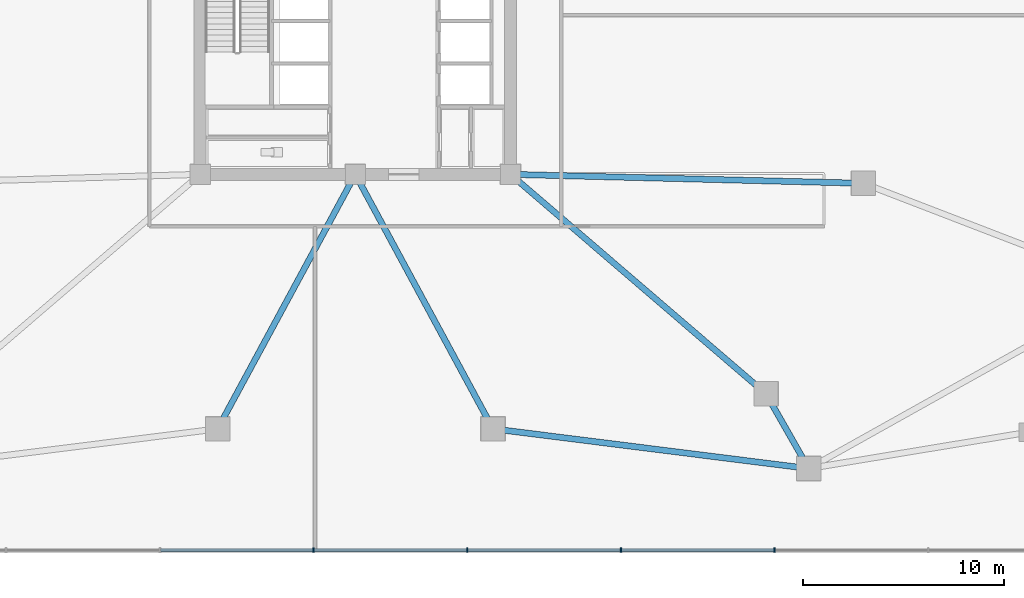
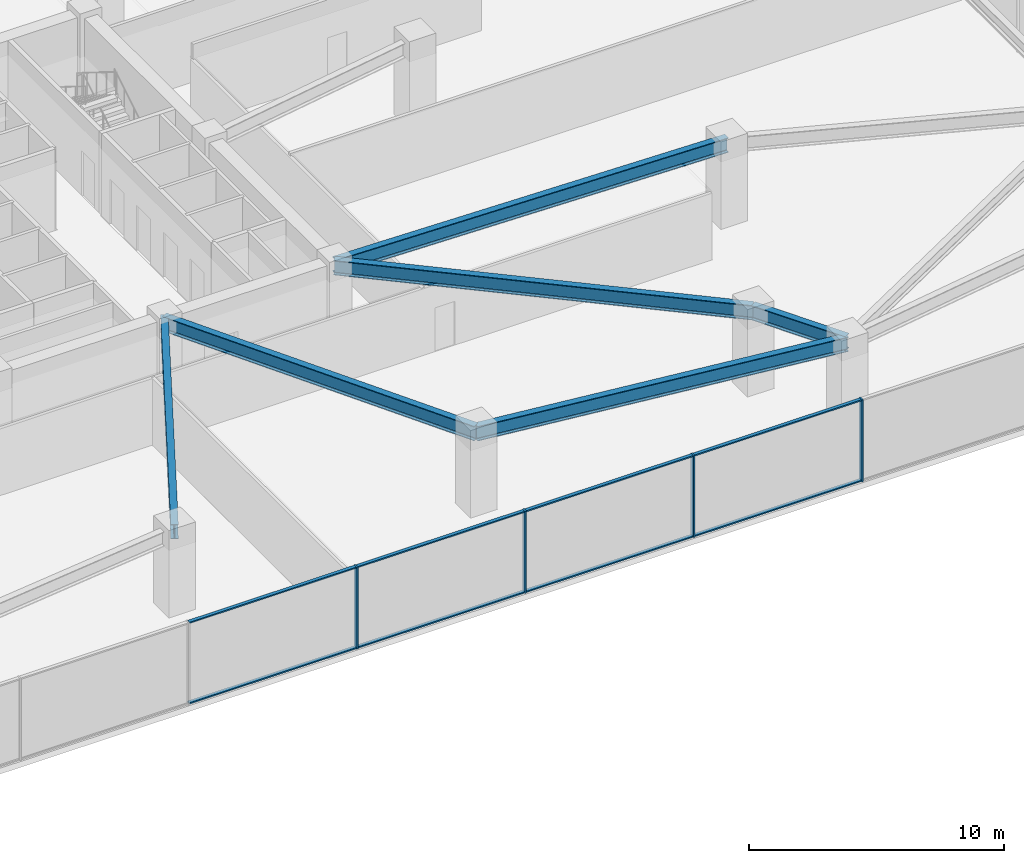
# One storey, part 4 of 21: 12 members, 6 beams, 1 element without a shape of its own.
"""IFC4 building model written with IfcOpenShell, lengths in metres."""

from ifc_helpers import new_model, si_unit, direction, frame, origin, origin_2d, place, context, subcontext, project, spatial, rectangle, i_section, extrude, material, material_profile, profile_set, type_object, element, aggregate, save


model = new_model("IFC4")

# Units and contexts
model_context = context("Model", 3, precision=1e-05, world=origin(), true_north=direction((0.0, 1.0)))
body_context = subcontext(model_context, "Body", "Model", "MODEL_VIEW")
ifc_project = project(units=[si_unit("LENGTHUNIT", "METRE"), si_unit("AREAUNIT", "SQUARE_METRE"), si_unit("VOLUMEUNIT", "CUBIC_METRE"), si_unit("PLANEANGLEUNIT", "RADIAN"), si_unit("MASSUNIT", "GRAM", prefix="KILO")], contexts=[model_context])

# Site, building, storey
site_placement = place(None, origin())
site = spatial("IfcSite", under=ifc_project, at=site_placement, CompositionType="ELEMENT")
building_placement = place(site_placement, origin())
building = spatial("IfcBuilding", under=site, at=building_placement, Name="Savorim Split Tower", CompositionType="ELEMENT")
storey_placement = place(building_placement, frame((0.0, 0.0, 9.199951171875)))
storey = spatial("IfcBuildingStorey", under=building, at=storey_placement, Name="L02", CompositionType="ELEMENT", Elevation=9.199951171875)

# Beams
ifc_material_1 = material(Name="Steel S355", Category="steel")
ifc_material_profile_1 = material_profile(ifc_material_1, i_section(OverallWidth=0.300048828125, OverallDepth=0.699951171875, WebThickness=0.01708984375, FlangeThickness=0.031982421875, FilletRadius=0.027099609375, at=origin_2d()), Name="HEB 700")
ifc_profile_set_1 = profile_set([ifc_material_profile_1], Name="Steel S355")
beam_type = type_object("IfcBeamType", Name="BM-PRI-HEB700", PredefinedType="BEAM", material=ifc_profile_set_1)
beam_1_placement = place(storey_placement, frame((22.5, -24.0, 3.570068359375), z_axis=(-0.992201816191, 0.124641710303, 0.0), x_axis=(-0.124641710303, -0.992201816191, 0.0)))
element("IfcBeam", 1, at=beam_1_placement, inside=storey, type_object=beam_type, Name="L02 Podium Primary Girder BG-03", PredefinedType="BEAM", context=body_context, shape_type="SweptSolid", body=[
    extrude(i_section(OverallWidth=0.300048828125, OverallDepth=0.699951171875, WebThickness=0.01708984375, FlangeThickness=0.031982421875, FilletRadius=0.027099609375, at=origin_2d()), origin(), (0.0, 0.0, 1.0), 15.791259765625),
])
beam_2_placement = place(storey_placement, frame((22.5, -24.0, 3.570068359375), z_axis=(-0.495603085314, 0.868549124591, 0.0), x_axis=(-0.868549124591, -0.495603085314, 0.0)))
element("IfcBeam", 2, at=beam_2_placement, inside=storey, type_object=beam_type, Name="L02 Podium Primary Girder BG-04", PredefinedType="BEAM", context=body_context, shape_type="SweptSolid", body=[
    extrude(i_section(OverallWidth=0.300048828125, OverallDepth=0.699951171875, WebThickness=0.01708984375, FlangeThickness=0.031982421875, FilletRadius=0.027099609375, at=origin_2d()), origin(), (0.0, 0.0, 1.0), 4.26953125),
])
for number, where, z_axis, x_axis, name in (
    (3, (-6.831787109375, -22.03173828125, 3.570068359375), (0.47572005496, 0.879596742438, 0.0), (-0.879596742438, 0.47572005496, 0.0), "L02 Podium Primary Girder BG-23"),
    (4, (6.831787109375, -22.03173828125, 3.570068359375), (-0.47572005496, 0.879596742438, 0.0), (-0.879596742438, -0.47572005496, 0.0), "L02 Podium Primary Girder BG-24"),
):
    element("IfcBeam", number, at=place(storey_placement, frame(where, z_axis=z_axis, x_axis=x_axis)), inside=storey, type_object=beam_type, Name=name, PredefinedType="BEAM", context=body_context, shape_type="SweptSolid", body=[
        extrude(i_section(OverallWidth=0.300048828125, OverallDepth=0.699951171875, WebThickness=0.01708984375, FlangeThickness=0.031982421875, FilletRadius=0.027099609375, at=origin_2d()), origin(), (0.0, 0.0, 1.0), 14.36083984375),
    ])
beam_3_placement = place(storey_placement, frame((20.384033203125, -20.291748046875, 3.570068359375), z_axis=(-0.758671842154, 0.651472974054, 0.0), x_axis=(-0.651472974054, -0.758671842154, 0.0)))
element("IfcBeam", 5, at=beam_3_placement, inside=storey, type_object=beam_type, Name="L02 Podium Primary Girder BG-25", PredefinedType="BEAM", context=body_context, shape_type="SweptSolid", body=[
    extrude(i_section(OverallWidth=0.300048828125, OverallDepth=0.699951171875, WebThickness=0.01708984375, FlangeThickness=0.031982421875, FilletRadius=0.027099609375, at=origin_2d()), origin(), (0.0, 0.0, 1.0), 16.71875),
])
beam_4_placement = place(storey_placement, frame((25.21337890625, -9.845458984375, 3.570068359375), z_axis=(-0.999676538363, 0.025432629574, 0.0), x_axis=(-0.025432629574, -0.999676538363, 0.0)))
element("IfcBeam", 6, at=beam_4_placement, inside=storey, type_object=beam_type, Name="L02 Podium Primary Girder BG-26", PredefinedType="BEAM", context=body_context, shape_type="SweptSolid", body=[
    extrude(i_section(OverallWidth=0.300048828125, OverallDepth=0.699951171875, WebThickness=0.01708984375, FlangeThickness=0.031982421875, FilletRadius=0.027099609375, at=origin_2d()), origin(), (0.0, 0.0, 1.0), 17.51904296875),
])

# Curtain wall, members
ifc_material_2 = material(Name="Dark Ceramic-Fritted Insulated Glass", Category="glass")
curtain_wall_type = type_object("IfcCurtainWallType", Name="CW-POD-GLZ", PredefinedType="NOTDEFINED", material=ifc_material_2)
curtain_wall_placement = place(storey_placement, origin())
curtain_wall = element("IfcCurtainWall", 7, at=curtain_wall_placement, inside=storey, type_object=curtain_wall_type, Name="L02 Curtain Wall CW-L02-E04", PredefinedType="NOTDEFINED")
ifc_material_3 = material(Name="Charcoal Anodised Aluminium", Category="aluminium")
ifc_material_profile_2 = material_profile(ifc_material_3, rectangle(XDim=0.219970703125, YDim=0.070068359375, at=origin_2d()), Name="ALU-M 220x70")
ifc_profile_set_2 = profile_set([ifc_material_profile_2], Name="Charcoal Anodised Aluminium")
member_type_1 = type_object("IfcMemberType", Name="CWM-220x70", PredefinedType="MULLION", material=ifc_profile_set_2)
member_1_placement = place(storey_placement, frame((-2.074462890625, -28.0400390625, 0.0), z_axis=(0.0, 0.0, 1.0), x_axis=(0.0, 1.0, 0.0)))
member_1 = element("IfcMember", 8, at=member_1_placement, type_object=member_type_1, Name="CW-01 mullion 4", PredefinedType="MULLION", context=body_context, shape_type="SweptSolid", body=[
    extrude(rectangle(XDim=0.219970703125, YDim=0.070068359375, at=origin_2d()), origin(), (0.0, 0.0, 1.0), 3.920166015625),
])
member_2_placement = place(storey_placement, frame((5.552490234375, -28.0400390625, 0.0), z_axis=(0.0, 0.0, 1.0), x_axis=(0.0, 1.0, 0.0)))
member_2 = element("IfcMember", 9, at=member_2_placement, type_object=member_type_1, Name="CW-01 mullion 5", PredefinedType="MULLION", context=body_context, shape_type="SweptSolid", body=[
    extrude(rectangle(XDim=0.219970703125, YDim=0.070068359375, at=origin_2d()), origin(), (0.0, 0.0, 1.0), 3.920166015625),
])
member_3_placement = place(storey_placement, frame((13.179443359375, -28.0400390625, 0.0), z_axis=(0.0, 0.0, 1.0), x_axis=(0.0, 1.0, 0.0)))
member_3 = element("IfcMember", 10, at=member_3_placement, type_object=member_type_1, Name="CW-01 mullion 6", PredefinedType="MULLION", context=body_context, shape_type="SweptSolid", body=[
    extrude(rectangle(XDim=0.219970703125, YDim=0.070068359375, at=origin_2d()), origin(), (0.0, 0.0, 1.0), 3.920166015625),
])
member_4_placement = place(storey_placement, frame((20.80615234375, -28.0400390625, 0.0), z_axis=(0.0, 0.0, 1.0), x_axis=(0.0, 1.0, 0.0)))
member_4 = element("IfcMember", 11, at=member_4_placement, type_object=member_type_1, Name="CW-01 mullion 7", PredefinedType="MULLION", context=body_context, shape_type="SweptSolid", body=[
    extrude(rectangle(XDim=0.219970703125, YDim=0.070068359375, at=origin_2d()), origin(), (0.0, 0.0, 1.0), 3.920166015625),
])
ifc_material_profile_3 = material_profile(ifc_material_3, rectangle(XDim=0.159912109375, YDim=0.06005859375, at=origin_2d()), Name="ALU-T 160x60")
ifc_profile_set_3 = profile_set([ifc_material_profile_3], Name="Charcoal Anodised Aluminium")
member_type_2 = type_object("IfcMemberType", Name="CWT-160x60", PredefinedType="USERDEFINED", material=ifc_profile_set_3)
member_5_placement = place(storey_placement, frame((-9.666259765625, -28.0400390625, 0.030029296875), z_axis=(1.0, 0.0, 0.0), x_axis=(0.0, 1.0, 0.0)))
member_5 = element("IfcMember", 12, at=member_5_placement, type_object=member_type_2, Name="CW-01 transom 3.1", ObjectType="TRANSOM", PredefinedType="USERDEFINED", context=body_context, shape_type="SweptSolid", body=[
    extrude(rectangle(XDim=0.159912109375, YDim=0.06005859375, at=origin_2d()), origin(), (0.0, 0.0, 1.0), 7.556884765625),
])
member_6_placement = place(storey_placement, frame((-9.666259765625, -28.0400390625, 3.89013671875), z_axis=(1.0, 0.0, 0.0), x_axis=(0.0, 1.0, 0.0)))
member_6 = element("IfcMember", 13, at=member_6_placement, type_object=member_type_2, Name="CW-01 transom 3.2", ObjectType="TRANSOM", PredefinedType="USERDEFINED", context=body_context, shape_type="SweptSolid", body=[
    extrude(rectangle(XDim=0.159912109375, YDim=0.06005859375, at=origin_2d()), origin(), (0.0, 0.0, 1.0), 7.556884765625),
])
member_7_placement = place(storey_placement, frame((-2.039306640625, -28.0400390625, 0.030029296875), z_axis=(1.0, 0.0, 0.0), x_axis=(0.0, 1.0, 0.0)))
member_7 = element("IfcMember", 14, at=member_7_placement, type_object=member_type_2, Name="CW-01 transom 4.1", ObjectType="TRANSOM", PredefinedType="USERDEFINED", context=body_context, shape_type="SweptSolid", body=[
    extrude(rectangle(XDim=0.159912109375, YDim=0.06005859375, at=origin_2d()), origin(), (0.0, 0.0, 1.0), 7.556884765625),
])
member_8_placement = place(storey_placement, frame((-2.039306640625, -28.0400390625, 3.89013671875), z_axis=(1.0, 0.0, 0.0), x_axis=(0.0, 1.0, 0.0)))
member_8 = element("IfcMember", 15, at=member_8_placement, type_object=member_type_2, Name="CW-01 transom 4.2", ObjectType="TRANSOM", PredefinedType="USERDEFINED", context=body_context, shape_type="SweptSolid", body=[
    extrude(rectangle(XDim=0.159912109375, YDim=0.06005859375, at=origin_2d()), origin(), (0.0, 0.0, 1.0), 7.556884765625),
])
member_9_placement = place(storey_placement, frame((5.58740234375, -28.0400390625, 0.030029296875), z_axis=(1.0, 0.0, 0.0), x_axis=(0.0, 1.0, 0.0)))
member_9 = element("IfcMember", 16, at=member_9_placement, type_object=member_type_2, Name="CW-01 transom 5.1", ObjectType="TRANSOM", PredefinedType="USERDEFINED", context=body_context, shape_type="SweptSolid", body=[
    extrude(rectangle(XDim=0.159912109375, YDim=0.06005859375, at=origin_2d()), origin(), (0.0, 0.0, 1.0), 7.556884765625),
])
member_10_placement = place(storey_placement, frame((5.58740234375, -28.0400390625, 3.89013671875), z_axis=(1.0, 0.0, 0.0), x_axis=(0.0, 1.0, 0.0)))
member_10 = element("IfcMember", 17, at=member_10_placement, type_object=member_type_2, Name="CW-01 transom 5.2", ObjectType="TRANSOM", PredefinedType="USERDEFINED", context=body_context, shape_type="SweptSolid", body=[
    extrude(rectangle(XDim=0.159912109375, YDim=0.06005859375, at=origin_2d()), origin(), (0.0, 0.0, 1.0), 7.556884765625),
])
member_11_placement = place(storey_placement, frame((13.21435546875, -28.0400390625, 0.030029296875), z_axis=(1.0, 0.0, 0.0), x_axis=(0.0, 1.0, 0.0)))
member_11 = element("IfcMember", 18, at=member_11_placement, type_object=member_type_2, Name="CW-01 transom 6.1", ObjectType="TRANSOM", PredefinedType="USERDEFINED", context=body_context, shape_type="SweptSolid", body=[
    extrude(rectangle(XDim=0.159912109375, YDim=0.06005859375, at=origin_2d()), origin(), (0.0, 0.0, 1.0), 7.556884765625),
])
member_12_placement = place(storey_placement, frame((13.21435546875, -28.0400390625, 3.89013671875), z_axis=(1.0, 0.0, 0.0), x_axis=(0.0, 1.0, 0.0)))
member_12 = element("IfcMember", 19, at=member_12_placement, type_object=member_type_2, Name="CW-01 transom 6.2", ObjectType="TRANSOM", PredefinedType="USERDEFINED", context=body_context, shape_type="SweptSolid", body=[
    extrude(rectangle(XDim=0.159912109375, YDim=0.06005859375, at=origin_2d()), origin(), (0.0, 0.0, 1.0), 7.556884765625),
])
aggregate(curtain_wall, [member_1, member_2, member_3, member_4, member_5, member_6, member_7, member_8, member_9, member_10, member_11, member_12])

save(model, "model.ifc")
